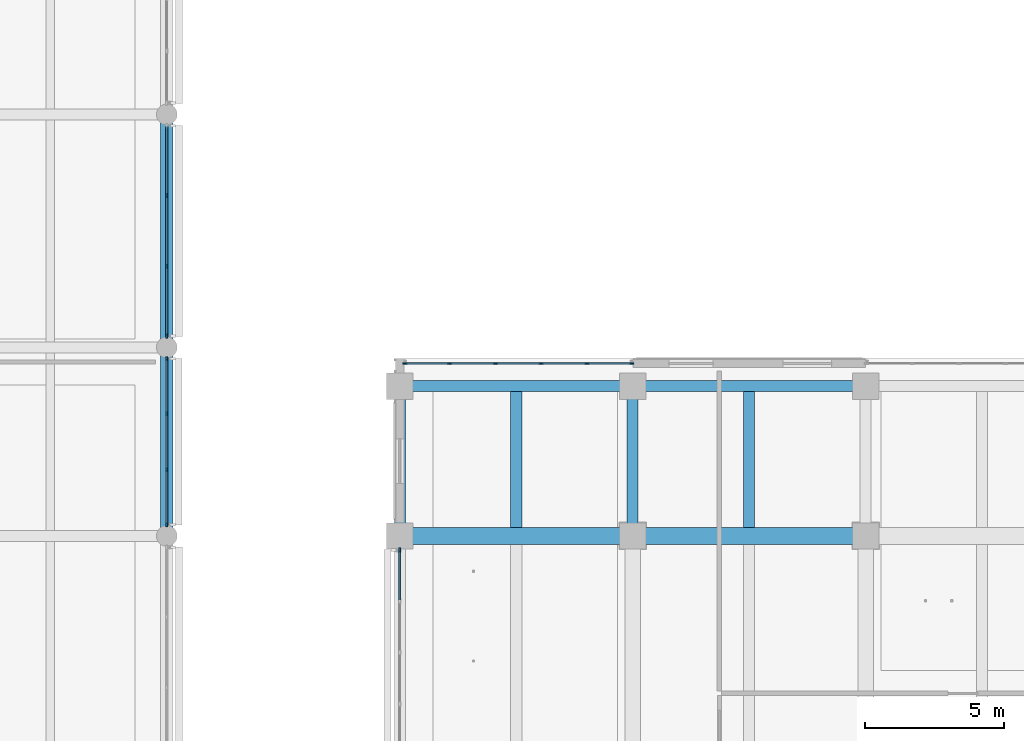
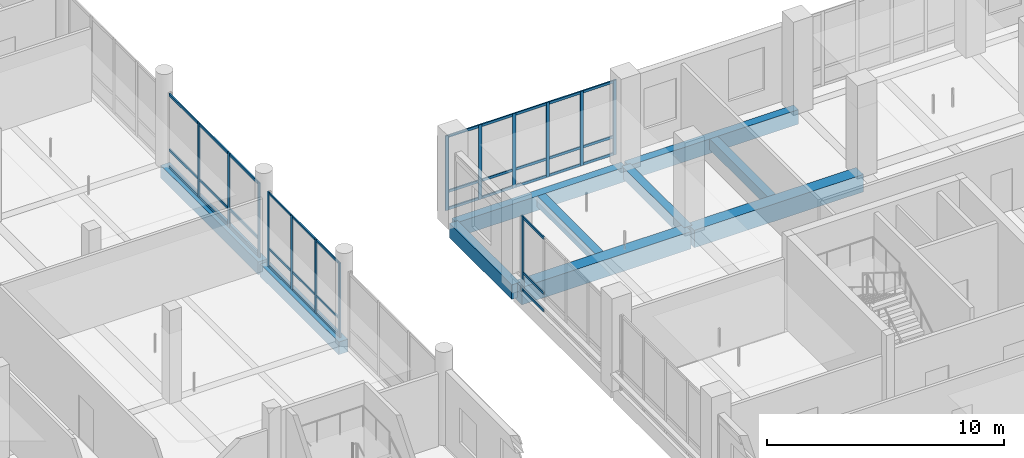
# One storey, part 14 of 122: 50 members, 10 beams, 4 elements without a shape of their own.
"""IFC4 building model written with IfcOpenShell, lengths in metres."""

from ifc_helpers import new_model, si_unit, direction, frame, origin, origin_2d, place, context, subcontext, project, spatial, rectangle, extrude, material, layer, layer_set, material_profile, profile_set, type_object, element, aggregate, save


model = new_model("IFC4")

# Units and contexts
model_context = context("Model", 3, precision=1e-05, world=origin(), true_north=direction((0.0, 1.0)))
body_context = subcontext(model_context, "Body", "Model", "MODEL_VIEW")
ifc_project = project(units=[si_unit("LENGTHUNIT", "METRE"), si_unit("AREAUNIT", "SQUARE_METRE"), si_unit("VOLUMEUNIT", "CUBIC_METRE"), si_unit("PLANEANGLEUNIT", "RADIAN"), si_unit("MASSUNIT", "GRAM", prefix="KILO")], contexts=[model_context])

# Site, building, storey
site_placement = place(None, origin())
site = spatial("IfcSite", under=ifc_project, at=site_placement, CompositionType="ELEMENT")
building_placement = place(site_placement, origin())
building = spatial("IfcBuilding", under=site, at=building_placement, Name="Telukmera Botanical Conservatory", CompositionType="ELEMENT")
storey_placement = place(building_placement, frame((0.0, 0.0, 10.199951171875)))
storey = spatial("IfcBuildingStorey", under=building, at=storey_placement, Name="L02", CompositionType="ELEMENT", Elevation=10.199951171875)

# Beams
ifc_material_1 = material(Name="Concrete C40/50", Category="concrete")
ifc_material_profile_1 = material_profile(ifc_material_1, rectangle(XDim=0.449951171875, YDim=0.64990234375, at=origin_2d()), Name="RC 450x650")
ifc_profile_set_1 = profile_set([ifc_material_profile_1], Name="Concrete C40/50")
beam_type_1 = type_object("IfcBeamType", Name="Beam_B16", PredefinedType="BEAM", material=ifc_profile_set_1)
beam_1_placement = place(storey_placement, frame((42.0, 42.8798828125, -0.324951171875), z_axis=(0.0, 1.0, 0.0), x_axis=(-1.0, 0.0, 0.0)))
element("IfcBeam", 1, at=beam_1_placement, inside=storey, type_object=beam_type_1, Name="Visitor Wing Transverse Beam L02", PredefinedType="BEAM", context=body_context, shape_type="SweptSolid", body=[
    extrude(rectangle(XDim=0.449951171875, YDim=0.64990234375, at=origin_2d()), origin(), (0.0, 0.0, 1.0), 6.64013671875),
])
beam_2_placement = place(storey_placement, frame((42.0, 49.679931640625, -0.324951171875), z_axis=(0.0, 1.0, 0.0), x_axis=(-1.0, 0.0, 0.0)))
element("IfcBeam", 2, at=beam_2_placement, inside=storey, type_object=beam_type_1, Name="Visitor Wing Transverse Beam L02", PredefinedType="BEAM", context=body_context, shape_type="SweptSolid", body=[
    extrude(rectangle(XDim=0.449951171875, YDim=0.64990234375, at=origin_2d()), origin(), (0.0, 0.0, 1.0), 8.239990234375),
])
ifc_material_profile_2 = material_profile(ifc_material_1, rectangle(XDim=0.39990234375, YDim=0.60009765625, at=origin_2d()), Name="RC 400x600")
ifc_profile_set_2 = profile_set([ifc_material_profile_2], Name="Concrete C40/50")
beam_type_2 = type_object("IfcBeamType", Name="Beam_B18", PredefinedType="BEAM", material=ifc_profile_set_2)
beam_3_placement = place(storey_placement, frame((58.800048828125, 42.8798828125, -0.300048828125), z_axis=(0.0, 1.0, 0.0), x_axis=(-1.0, 0.0, 0.0)))
element("IfcBeam", 3, at=beam_3_placement, inside=storey, type_object=beam_type_2, Name="Tower Transverse Beam L02", PredefinedType="BEAM", context=body_context, shape_type="SweptSolid", body=[
    extrude(rectangle(XDim=0.39990234375, YDim=0.60009765625, at=origin_2d()), origin(), (0.0, 0.0, 1.0), 5.240234375),
])
ifc_material_profile_3 = material_profile(ifc_material_1, rectangle(XDim=0.39990234375, YDim=0.550048828125, at=origin_2d()), Name="RC 400x550")
ifc_profile_set_3 = profile_set([ifc_material_profile_3], Name="Concrete C40/50")
beam_type_3 = type_object("IfcBeamType", Name="Beam_B19", PredefinedType="JOIST", material=ifc_profile_set_3)
for number, where, z_axis, x_axis, name in (
    (4, (54.60009765625, 43.10009765625, -0.27490234375), (0.0, 1.0, 0.0), (-1.0, 0.0, 0.0), "Tower Secondary Floor Joist L02"),
    (5, (63.0, 43.10009765625, -0.27490234375), (0.0, 1.0, 0.0), (-1.0, 0.0, 0.0), "Tower Secondary Floor Joist L02"),
):
    element("IfcBeam", number, at=place(storey_placement, frame(where, z_axis=z_axis, x_axis=x_axis)), inside=storey, type_object=beam_type_3, Name=name, PredefinedType="JOIST", context=body_context, shape_type="SweptSolid", body=[
        extrude(rectangle(XDim=0.39990234375, YDim=0.550048828125, at=origin_2d()), origin(), (0.0, 0.0, 1.0), 4.89990234375),
    ])
ifc_material_profile_4 = material_profile(ifc_material_1, rectangle(XDim=0.60009765625, YDim=0.89990234375, at=origin_2d()), Name="RC 600x900")
ifc_profile_set_4 = profile_set([ifc_material_profile_4], Name="Concrete C40/50")
beam_type_4 = type_object("IfcBeamType", Name="Beam_B3", PredefinedType="BEAM", material=ifc_profile_set_4)
beam_4_placement = place(storey_placement, frame((50.47998046875, 42.800048828125, -0.449951171875), z_axis=(1.0, 0.0, 0.0), x_axis=(0.0, 1.0, 0.0)))
element("IfcBeam", 6, at=beam_4_placement, inside=storey, type_object=beam_type_4, Name="Tower Grid Beam L02", PredefinedType="BEAM", context=body_context, shape_type="SweptSolid", body=[
    extrude(rectangle(XDim=0.60009765625, YDim=0.89990234375, at=origin_2d()), origin(), (0.0, 0.0, 1.0), 8.239990234375),
])
beam_5_placement = place(storey_placement, frame((58.8798828125, 42.800048828125, -0.449951171875), z_axis=(1.0, 0.0, 0.0), x_axis=(0.0, 1.0, 0.0)))
element("IfcBeam", 7, at=beam_5_placement, inside=storey, type_object=beam_type_4, Name="Tower Grid Beam L02", PredefinedType="BEAM", context=body_context, shape_type="SweptSolid", body=[
    extrude(rectangle(XDim=0.60009765625, YDim=0.89990234375, at=origin_2d()), origin(), (0.0, 0.0, 1.0), 8.240234375),
])
ifc_material_2 = material(Name="Precast concrete C40/50", Category="concrete")
ifc_material_profile_5 = material_profile(ifc_material_2, rectangle(XDim=0.39990234375, YDim=0.75, at=origin_2d()), Name="PC 400x750")
ifc_profile_set_5 = profile_set([ifc_material_profile_5], Name="Precast concrete C40/50")
beam_type_5 = type_object("IfcBeamType", Name="Beam_SP1", PredefinedType="SPANDREL", material=ifc_profile_set_5)
beam_6_placement = place(storey_placement, frame((50.47998046875, 48.199951171875, -0.375), z_axis=(1.0, 0.0, 0.0), x_axis=(0.0, 1.0, 0.0)))
element("IfcBeam", 8, at=beam_6_placement, inside=storey, type_object=beam_type_5, Name="Tower Grid Beam L02", PredefinedType="SPANDREL", context=body_context, shape_type="SweptSolid", body=[
    extrude(rectangle(XDim=0.39990234375, YDim=0.75, at=origin_2d()), origin(), (0.0, 0.0, 1.0), 8.239990234375),
])
beam_7_placement = place(storey_placement, frame((58.8798828125, 48.199951171875, -0.375), z_axis=(1.0, 0.0, 0.0), x_axis=(0.0, 1.0, 0.0)))
element("IfcBeam", 9, at=beam_7_placement, inside=storey, type_object=beam_type_5, Name="Tower Grid Beam L02", PredefinedType="SPANDREL", context=body_context, shape_type="SweptSolid", body=[
    extrude(rectangle(XDim=0.39990234375, YDim=0.75, at=origin_2d()), origin(), (0.0, 0.0, 1.0), 8.240234375),
])
beam_8_placement = place(storey_placement, frame((50.39990234375, 42.8798828125, -0.375), z_axis=(0.0, 1.0, 0.0), x_axis=(-1.0, 0.0, 0.0)))
element("IfcBeam", 10, at=beam_8_placement, inside=storey, type_object=beam_type_5, Name="Tower Transverse Beam L02", PredefinedType="SPANDREL", context=body_context, shape_type="SweptSolid", body=[
    extrude(rectangle(XDim=0.39990234375, YDim=0.75, at=origin_2d()), origin(), (0.0, 0.0, 1.0), 5.240234375),
])

# Curtain wall, members
ifc_material_3 = material(Name="Anodised aluminium 6063-T6", Category="aluminium")
ifc_layer_1 = layer(ifc_material_3, 0.179931640625)
ifc_layer_set_1 = layer_set([ifc_layer_1], Name="Anodised aluminium 6063-T6")
curtain_wall_type_1 = type_object("IfcCurtainWallType", Name="Visitor Courtyard Narrow Bay Curtain Wall", PredefinedType="USERDEFINED", material=ifc_layer_set_1)
curtain_wall_1_placement = place(storey_placement, origin())
curtain_wall_1 = element("IfcCurtainWall", 11, at=curtain_wall_1_placement, inside=storey, type_object=curtain_wall_type_1, Name="Unitised Curtain Wall CW10 V3:L02:E4", ObjectType="UNITISED CURTAIN WALL", PredefinedType="USERDEFINED")
ifc_material_profile_6 = material_profile(ifc_material_3, rectangle(XDim=0.06005859375, YDim=0.139892578125, at=origin_2d()), Name="ALU MULL 60x140")
ifc_profile_set_6 = profile_set([ifc_material_profile_6], Name="Anodised aluminium 6063-T6")
member_type_1 = type_object("IfcMemberType", Name="Curtain Wall Extruded Mullion 60x140", PredefinedType="MULLION", material=ifc_profile_set_6)
member_1_placement = place(storey_placement, frame((42.0, 43.20703125, 0.0), z_axis=(0.0, 0.0, 1.0), x_axis=(-1.0, 0.0, 0.0)))
member_1 = element("IfcMember", 12, at=member_1_placement, type_object=member_type_1, Name="CW10 mullion 1", PredefinedType="MULLION", context=body_context, shape_type="SweptSolid", body=[
    extrude(rectangle(XDim=0.06005859375, YDim=0.139892578125, at=origin_2d()), origin(), (0.0, 0.0, 1.0), 3.85009765625),
])
member_2_placement = place(storey_placement, frame((42.0, 45.1923828125, 0.0), z_axis=(0.0, 0.0, 1.0), x_axis=(-1.0, 0.0, 0.0)))
member_2 = element("IfcMember", 13, at=member_2_placement, type_object=member_type_1, Name="CW10 mullion 2", PredefinedType="MULLION", context=body_context, shape_type="SweptSolid", body=[
    extrude(rectangle(XDim=0.06005859375, YDim=0.139892578125, at=origin_2d()), origin(), (0.0, 0.0, 1.0), 3.85009765625),
])
member_3_placement = place(storey_placement, frame((42.0, 47.207763671875, 0.0), z_axis=(0.0, 0.0, 1.0), x_axis=(-1.0, 0.0, 0.0)))
member_3 = element("IfcMember", 14, at=member_3_placement, type_object=member_type_1, Name="CW10 mullion 3", PredefinedType="MULLION", context=body_context, shape_type="SweptSolid", body=[
    extrude(rectangle(XDim=0.06005859375, YDim=0.139892578125, at=origin_2d()), origin(), (0.0, 0.0, 1.0), 3.85009765625),
])
member_4_placement = place(storey_placement, frame((42.0, 49.193115234375, 0.0), z_axis=(0.0, 0.0, 1.0), x_axis=(-1.0, 0.0, 0.0)))
member_4 = element("IfcMember", 15, at=member_4_placement, type_object=member_type_1, Name="CW10 mullion 4", PredefinedType="MULLION", context=body_context, shape_type="SweptSolid", body=[
    extrude(rectangle(XDim=0.06005859375, YDim=0.139892578125, at=origin_2d()), origin(), (0.0, 0.0, 1.0), 3.85009765625),
])

ifc_layer_2 = layer(ifc_material_3, 0.179931640625)
ifc_layer_set_2 = layer_set([ifc_layer_2], Name="Anodised aluminium 6063-T6")
curtain_wall_type_2 = type_object("IfcCurtainWallType", Name="Visitor Gallery Second Floor Curtain Wall 2400 Mod", PredefinedType="USERDEFINED", material=ifc_layer_set_2)
curtain_wall_2_placement = place(storey_placement, origin())
curtain_wall_2 = element("IfcCurtainWall", 16, at=curtain_wall_2_placement, inside=storey, type_object=curtain_wall_type_2, Name="Unitised Curtain Wall CW09 V3:L02:E5", ObjectType="UNITISED CURTAIN WALL", PredefinedType="USERDEFINED")
ifc_material_profile_7 = material_profile(ifc_material_3, rectangle(XDim=0.06494140625, YDim=0.159912109375, at=origin_2d()), Name="ALU MULL 65x160")
ifc_profile_set_7 = profile_set([ifc_material_profile_7], Name="Anodised aluminium 6063-T6")
member_type_2 = type_object("IfcMemberType", Name="Curtain Wall Extruded Mullion 65x160", PredefinedType="MULLION", material=ifc_profile_set_7)
member_5_placement = place(storey_placement, frame((42.0, 50.009521484375, 0.0), z_axis=(0.0, 0.0, 1.0), x_axis=(-1.0, 0.0, 0.0)))
member_5 = element("IfcMember", 17, at=member_5_placement, type_object=member_type_2, Name="CW09 mullion 1", PredefinedType="MULLION", context=body_context, shape_type="SweptSolid", body=[
    extrude(rectangle(XDim=0.06494140625, YDim=0.159912109375, at=origin_2d()), origin(), (0.0, 0.0, 1.0), 3.85009765625),
])
member_6_placement = place(storey_placement, frame((42.0, 52.525634765625, 0.0), z_axis=(0.0, 0.0, 1.0), x_axis=(-1.0, 0.0, 0.0)))
member_6 = element("IfcMember", 18, at=member_6_placement, type_object=member_type_2, Name="CW09 mullion 2", PredefinedType="MULLION", context=body_context, shape_type="SweptSolid", body=[
    extrude(rectangle(XDim=0.06494140625, YDim=0.159912109375, at=origin_2d()), origin(), (0.0, 0.0, 1.0), 3.85009765625),
])
member_7_placement = place(storey_placement, frame((42.0, 55.07421875, 0.0), z_axis=(0.0, 0.0, 1.0), x_axis=(-1.0, 0.0, 0.0)))
member_7 = element("IfcMember", 19, at=member_7_placement, type_object=member_type_2, Name="CW09 mullion 3", PredefinedType="MULLION", context=body_context, shape_type="SweptSolid", body=[
    extrude(rectangle(XDim=0.06494140625, YDim=0.159912109375, at=origin_2d()), origin(), (0.0, 0.0, 1.0), 3.85009765625),
])

ifc_layer_3 = layer(ifc_material_3, 0.179931640625)
ifc_layer_set_3 = layer_set([ifc_layer_3], Name="Anodised aluminium 6063-T6")
curtain_wall_type_3 = type_object("IfcCurtainWallType", Name="Tower Reference Library Curtain Wall", PredefinedType="USERDEFINED", material=ifc_layer_set_3)
curtain_wall_3_placement = place(storey_placement, origin())
curtain_wall_3 = element("IfcCurtainWall", 20, at=curtain_wall_3_placement, inside=storey, type_object=curtain_wall_type_3, Name="Unitised Curtain Wall CW13 V4:L02:N1", ObjectType="UNITISED CURTAIN WALL", PredefinedType="USERDEFINED")
member_8_placement = place(storey_placement, frame((50.58447265625, 49.02001953125, 0.0), z_axis=(0.0, 0.0, 1.0), x_axis=(0.0, 1.0, 0.0)))
member_8 = element("IfcMember", 21, at=member_8_placement, type_object=member_type_2, Name="CW13 mullion 1", PredefinedType="MULLION", context=body_context, shape_type="SweptSolid", body=[
    extrude(rectangle(XDim=0.06494140625, YDim=0.159912109375, at=origin_2d()), origin(), (0.0, 0.0, 1.0), 3.85009765625),
])
member_9_placement = place(storey_placement, frame((52.201171875, 49.02001953125, 0.0), z_axis=(0.0, 0.0, 1.0), x_axis=(0.0, 1.0, 0.0)))
member_9 = element("IfcMember", 22, at=member_9_placement, type_object=member_type_2, Name="CW13 mullion 2", PredefinedType="MULLION", context=body_context, shape_type="SweptSolid", body=[
    extrude(rectangle(XDim=0.06494140625, YDim=0.159912109375, at=origin_2d()), origin(), (0.0, 0.0, 1.0), 3.85009765625),
])
member_10_placement = place(storey_placement, frame((53.850341796875, 49.02001953125, 0.0), z_axis=(0.0, 0.0, 1.0), x_axis=(0.0, 1.0, 0.0)))
member_10 = element("IfcMember", 23, at=member_10_placement, type_object=member_type_2, Name="CW13 mullion 3", PredefinedType="MULLION", context=body_context, shape_type="SweptSolid", body=[
    extrude(rectangle(XDim=0.06494140625, YDim=0.159912109375, at=origin_2d()), origin(), (0.0, 0.0, 1.0), 3.85009765625),
])
member_11_placement = place(storey_placement, frame((55.49951171875, 49.02001953125, 0.0), z_axis=(0.0, 0.0, 1.0), x_axis=(0.0, 1.0, 0.0)))
member_11 = element("IfcMember", 24, at=member_11_placement, type_object=member_type_2, Name="CW13 mullion 4", PredefinedType="MULLION", context=body_context, shape_type="SweptSolid", body=[
    extrude(rectangle(XDim=0.06494140625, YDim=0.159912109375, at=origin_2d()), origin(), (0.0, 0.0, 1.0), 3.85009765625),
])
member_12_placement = place(storey_placement, frame((57.148681640625, 49.02001953125, 0.0), z_axis=(0.0, 0.0, 1.0), x_axis=(0.0, 1.0, 0.0)))
member_12 = element("IfcMember", 25, at=member_12_placement, type_object=member_type_2, Name="CW13 mullion 5", PredefinedType="MULLION", context=body_context, shape_type="SweptSolid", body=[
    extrude(rectangle(XDim=0.06494140625, YDim=0.159912109375, at=origin_2d()), origin(), (0.0, 0.0, 1.0), 3.85009765625),
])
member_13_placement = place(storey_placement, frame((58.765380859375, 49.02001953125, 0.0), z_axis=(0.0, 0.0, 1.0), x_axis=(0.0, 1.0, 0.0)))
member_13 = element("IfcMember", 26, at=member_13_placement, type_object=member_type_2, Name="CW13 mullion 6", PredefinedType="MULLION", context=body_context, shape_type="SweptSolid", body=[
    extrude(rectangle(XDim=0.06494140625, YDim=0.159912109375, at=origin_2d()), origin(), (0.0, 0.0, 1.0), 3.85009765625),
])

# Curtain wall, member
curtain_wall_4_placement = place(storey_placement, origin())
curtain_wall_4 = element("IfcCurtainWall", 27, at=curtain_wall_4_placement, inside=storey, type_object=curtain_wall_type_3, Name="Unitised Curtain Wall CW13 V4:L02:W4", ObjectType="UNITISED CURTAIN WALL", PredefinedType="USERDEFINED")
member_14_placement = place(storey_placement, frame((50.39990234375, 42.29052734375, 0.0), z_axis=(0.0, 0.0, 1.0), x_axis=(-1.0, 0.0, 0.0)))
member_14 = element("IfcMember", 28, at=member_14_placement, type_object=member_type_2, Name="CW13 mullion 5", PredefinedType="MULLION", context=body_context, shape_type="SweptSolid", body=[
    extrude(rectangle(XDim=0.06494140625, YDim=0.159912109375, at=origin_2d()), origin(), (0.0, 0.0, 1.0), 3.85009765625),
])

# Member
ifc_material_profile_8 = material_profile(ifc_material_3, rectangle(XDim=0.06005859375, YDim=0.110107421875, at=origin_2d()), Name="ALU TRAN 60x110")
ifc_profile_set_8 = profile_set([ifc_material_profile_8], Name="Anodised aluminium 6063-T6")
member_type_3 = type_object("IfcMemberType", Name="Curtain Wall Extruded Transom 60x110", PredefinedType="USERDEFINED", material=ifc_profile_set_8)
member_15_placement = place(storey_placement, frame((42.0, 43.237060546875, 0.054931640625), z_axis=(0.0, 1.0, 0.0), x_axis=(-1.0, 0.0, 0.0)))
member_15 = element("IfcMember", 29, at=member_15_placement, type_object=member_type_3, Name="CW10 transom 1.1", ObjectType="TRANSOM", PredefinedType="USERDEFINED", context=body_context, shape_type="SweptSolid", body=[
    extrude(rectangle(XDim=0.06005859375, YDim=0.110107421875, at=origin_2d()), origin(), (0.0, 0.0, 1.0), 1.92529296875),
])

member_16_placement = place(storey_placement, frame((42.0, 43.237060546875, 0.949951171875), z_axis=(0.0, 1.0, 0.0), x_axis=(-1.0, 0.0, 0.0)))
member_16 = element("IfcMember", 30, at=member_16_placement, type_object=member_type_3, Name="CW10 transom 1.2", ObjectType="TRANSOM", PredefinedType="USERDEFINED", context=body_context, shape_type="SweptSolid", body=[
    extrude(rectangle(XDim=0.06005859375, YDim=0.110107421875, at=origin_2d()), origin(), (0.0, 0.0, 1.0), 1.92529296875),
])

member_17_placement = place(storey_placement, frame((42.0, 43.237060546875, 3.795166015625), z_axis=(0.0, 1.0, 0.0), x_axis=(-1.0, 0.0, 0.0)))
member_17 = element("IfcMember", 31, at=member_17_placement, type_object=member_type_3, Name="CW10 transom 1.3", ObjectType="TRANSOM", PredefinedType="USERDEFINED", context=body_context, shape_type="SweptSolid", body=[
    extrude(rectangle(XDim=0.06005859375, YDim=0.110107421875, at=origin_2d()), origin(), (0.0, 0.0, 1.0), 1.92529296875),
])

member_18_placement = place(storey_placement, frame((42.0, 45.222412109375, 0.054931640625), z_axis=(0.0, 1.0, 0.0), x_axis=(-1.0, 0.0, 0.0)))
member_18 = element("IfcMember", 32, at=member_18_placement, type_object=member_type_3, Name="CW10 transom 2.1", ObjectType="TRANSOM", PredefinedType="USERDEFINED", context=body_context, shape_type="SweptSolid", body=[
    extrude(rectangle(XDim=0.06005859375, YDim=0.110107421875, at=origin_2d()), origin(), (0.0, 0.0, 1.0), 1.955322265625),
])

member_19_placement = place(storey_placement, frame((42.0, 45.222412109375, 0.949951171875), z_axis=(0.0, 1.0, 0.0), x_axis=(-1.0, 0.0, 0.0)))
member_19 = element("IfcMember", 33, at=member_19_placement, type_object=member_type_3, Name="CW10 transom 2.2", ObjectType="TRANSOM", PredefinedType="USERDEFINED", context=body_context, shape_type="SweptSolid", body=[
    extrude(rectangle(XDim=0.06005859375, YDim=0.110107421875, at=origin_2d()), origin(), (0.0, 0.0, 1.0), 1.955322265625),
])

member_20_placement = place(storey_placement, frame((42.0, 45.222412109375, 3.795166015625), z_axis=(0.0, 1.0, 0.0), x_axis=(-1.0, 0.0, 0.0)))
member_20 = element("IfcMember", 34, at=member_20_placement, type_object=member_type_3, Name="CW10 transom 2.3", ObjectType="TRANSOM", PredefinedType="USERDEFINED", context=body_context, shape_type="SweptSolid", body=[
    extrude(rectangle(XDim=0.06005859375, YDim=0.110107421875, at=origin_2d()), origin(), (0.0, 0.0, 1.0), 1.955322265625),
])

member_21_placement = place(storey_placement, frame((42.0, 47.237548828125, 0.054931640625), z_axis=(0.0, 1.0, 0.0), x_axis=(-1.0, 0.0, 0.0)))
member_21 = element("IfcMember", 35, at=member_21_placement, type_object=member_type_3, Name="CW10 transom 3.1", ObjectType="TRANSOM", PredefinedType="USERDEFINED", context=body_context, shape_type="SweptSolid", body=[
    extrude(rectangle(XDim=0.06005859375, YDim=0.110107421875, at=origin_2d()), origin(), (0.0, 0.0, 1.0), 1.925537109375),
])

member_22_placement = place(storey_placement, frame((42.0, 47.237548828125, 0.949951171875), z_axis=(0.0, 1.0, 0.0), x_axis=(-1.0, 0.0, 0.0)))
member_22 = element("IfcMember", 36, at=member_22_placement, type_object=member_type_3, Name="CW10 transom 3.2", ObjectType="TRANSOM", PredefinedType="USERDEFINED", context=body_context, shape_type="SweptSolid", body=[
    extrude(rectangle(XDim=0.06005859375, YDim=0.110107421875, at=origin_2d()), origin(), (0.0, 0.0, 1.0), 1.925537109375),
])

member_23_placement = place(storey_placement, frame((42.0, 47.237548828125, 3.795166015625), z_axis=(0.0, 1.0, 0.0), x_axis=(-1.0, 0.0, 0.0)))
member_23 = element("IfcMember", 37, at=member_23_placement, type_object=member_type_3, Name="CW10 transom 3.3", ObjectType="TRANSOM", PredefinedType="USERDEFINED", context=body_context, shape_type="SweptSolid", body=[
    extrude(rectangle(XDim=0.06005859375, YDim=0.110107421875, at=origin_2d()), origin(), (0.0, 0.0, 1.0), 1.925537109375),
])

aggregate(curtain_wall_1, [member_1, member_2, member_3, member_4, member_15, member_16, member_17, member_18, member_19, member_20, member_21, member_22, member_23])

ifc_material_profile_9 = material_profile(ifc_material_3, rectangle(XDim=0.06494140625, YDim=0.1298828125, at=origin_2d()), Name="ALU TRAN 65x130")
ifc_profile_set_9 = profile_set([ifc_material_profile_9], Name="Anodised aluminium 6063-T6")
member_type_4 = type_object("IfcMemberType", Name="Curtain Wall Extruded Transom 65x130", PredefinedType="USERDEFINED", material=ifc_profile_set_9)
member_24_placement = place(storey_placement, frame((42.0, 50.0419921875, 0.06494140625), z_axis=(0.0, 1.0, 0.0), x_axis=(-1.0, 0.0, 0.0)))
member_24 = element("IfcMember", 38, at=member_24_placement, type_object=member_type_4, Name="CW09 transom 1.1", ObjectType="TRANSOM", PredefinedType="USERDEFINED", context=body_context, shape_type="SweptSolid", body=[
    extrude(rectangle(XDim=0.06494140625, YDim=0.1298828125, at=origin_2d()), origin(), (0.0, 0.0, 1.0), 2.451171875),
])

member_25_placement = place(storey_placement, frame((42.0, 50.0419921875, 0.949951171875), z_axis=(0.0, 1.0, 0.0), x_axis=(-1.0, 0.0, 0.0)))
member_25 = element("IfcMember", 39, at=member_25_placement, type_object=member_type_4, Name="CW09 transom 1.2", ObjectType="TRANSOM", PredefinedType="USERDEFINED", context=body_context, shape_type="SweptSolid", body=[
    extrude(rectangle(XDim=0.06494140625, YDim=0.1298828125, at=origin_2d()), origin(), (0.0, 0.0, 1.0), 2.451171875),
])

member_26_placement = place(storey_placement, frame((42.0, 50.0419921875, 3.78515625), z_axis=(0.0, 1.0, 0.0), x_axis=(-1.0, 0.0, 0.0)))
member_26 = element("IfcMember", 40, at=member_26_placement, type_object=member_type_4, Name="CW09 transom 1.3", ObjectType="TRANSOM", PredefinedType="USERDEFINED", context=body_context, shape_type="SweptSolid", body=[
    extrude(rectangle(XDim=0.06494140625, YDim=0.1298828125, at=origin_2d()), origin(), (0.0, 0.0, 1.0), 2.451171875),
])

member_27_placement = place(storey_placement, frame((42.0, 52.55810546875, 0.06494140625), z_axis=(0.0, 1.0, 0.0), x_axis=(-1.0, 0.0, 0.0)))
member_27 = element("IfcMember", 41, at=member_27_placement, type_object=member_type_4, Name="CW09 transom 2.1", ObjectType="TRANSOM", PredefinedType="USERDEFINED", context=body_context, shape_type="SweptSolid", body=[
    extrude(rectangle(XDim=0.06494140625, YDim=0.1298828125, at=origin_2d()), origin(), (0.0, 0.0, 1.0), 2.483642578125),
])

member_28_placement = place(storey_placement, frame((42.0, 52.55810546875, 0.949951171875), z_axis=(0.0, 1.0, 0.0), x_axis=(-1.0, 0.0, 0.0)))
member_28 = element("IfcMember", 42, at=member_28_placement, type_object=member_type_4, Name="CW09 transom 2.2", ObjectType="TRANSOM", PredefinedType="USERDEFINED", context=body_context, shape_type="SweptSolid", body=[
    extrude(rectangle(XDim=0.06494140625, YDim=0.1298828125, at=origin_2d()), origin(), (0.0, 0.0, 1.0), 2.483642578125),
])

member_29_placement = place(storey_placement, frame((42.0, 52.55810546875, 3.78515625), z_axis=(0.0, 1.0, 0.0), x_axis=(-1.0, 0.0, 0.0)))
member_29 = element("IfcMember", 43, at=member_29_placement, type_object=member_type_4, Name="CW09 transom 2.3", ObjectType="TRANSOM", PredefinedType="USERDEFINED", context=body_context, shape_type="SweptSolid", body=[
    extrude(rectangle(XDim=0.06494140625, YDim=0.1298828125, at=origin_2d()), origin(), (0.0, 0.0, 1.0), 2.483642578125),
])

member_30_placement = place(storey_placement, frame((42.0, 55.10693359375, 0.06494140625), z_axis=(0.0, 1.0, 0.0), x_axis=(-1.0, 0.0, 0.0)))
member_30 = element("IfcMember", 44, at=member_30_placement, type_object=member_type_4, Name="CW09 transom 3.1", ObjectType="TRANSOM", PredefinedType="USERDEFINED", context=body_context, shape_type="SweptSolid", body=[
    extrude(rectangle(XDim=0.06494140625, YDim=0.1298828125, at=origin_2d()), origin(), (0.0, 0.0, 1.0), 2.451171875),
])

member_31_placement = place(storey_placement, frame((42.0, 55.10693359375, 0.949951171875), z_axis=(0.0, 1.0, 0.0), x_axis=(-1.0, 0.0, 0.0)))
member_31 = element("IfcMember", 45, at=member_31_placement, type_object=member_type_4, Name="CW09 transom 3.2", ObjectType="TRANSOM", PredefinedType="USERDEFINED", context=body_context, shape_type="SweptSolid", body=[
    extrude(rectangle(XDim=0.06494140625, YDim=0.1298828125, at=origin_2d()), origin(), (0.0, 0.0, 1.0), 2.451171875),
])

member_32_placement = place(storey_placement, frame((42.0, 55.10693359375, 3.78515625), z_axis=(0.0, 1.0, 0.0), x_axis=(-1.0, 0.0, 0.0)))
member_32 = element("IfcMember", 46, at=member_32_placement, type_object=member_type_4, Name="CW09 transom 3.3", ObjectType="TRANSOM", PredefinedType="USERDEFINED", context=body_context, shape_type="SweptSolid", body=[
    extrude(rectangle(XDim=0.06494140625, YDim=0.1298828125, at=origin_2d()), origin(), (0.0, 0.0, 1.0), 2.451171875),
])

aggregate(curtain_wall_2, [member_5, member_6, member_7, member_24, member_25, member_26, member_27, member_28, member_29, member_30, member_31, member_32])

member_33_placement = place(storey_placement, frame((50.616943359375, 49.02001953125, 0.06494140625), z_axis=(1.0, 0.0, 0.0), x_axis=(0.0, 1.0, 0.0)))
member_33 = element("IfcMember", 47, at=member_33_placement, type_object=member_type_4, Name="CW13 transom 1.1", ObjectType="TRANSOM", PredefinedType="USERDEFINED", context=body_context, shape_type="SweptSolid", body=[
    extrude(rectangle(XDim=0.06494140625, YDim=0.1298828125, at=origin_2d()), origin(), (0.0, 0.0, 1.0), 1.5517578125),
])

member_34_placement = place(storey_placement, frame((50.616943359375, 49.02001953125, 0.949951171875), z_axis=(1.0, 0.0, 0.0), x_axis=(0.0, 1.0, 0.0)))
member_34 = element("IfcMember", 48, at=member_34_placement, type_object=member_type_4, Name="CW13 transom 1.2", ObjectType="TRANSOM", PredefinedType="USERDEFINED", context=body_context, shape_type="SweptSolid", body=[
    extrude(rectangle(XDim=0.06494140625, YDim=0.1298828125, at=origin_2d()), origin(), (0.0, 0.0, 1.0), 1.5517578125),
])

member_35_placement = place(storey_placement, frame((50.616943359375, 49.02001953125, 3.78515625), z_axis=(1.0, 0.0, 0.0), x_axis=(0.0, 1.0, 0.0)))
member_35 = element("IfcMember", 49, at=member_35_placement, type_object=member_type_4, Name="CW13 transom 1.3", ObjectType="TRANSOM", PredefinedType="USERDEFINED", context=body_context, shape_type="SweptSolid", body=[
    extrude(rectangle(XDim=0.06494140625, YDim=0.1298828125, at=origin_2d()), origin(), (0.0, 0.0, 1.0), 1.5517578125),
])

member_36_placement = place(storey_placement, frame((52.233642578125, 49.02001953125, 0.06494140625), z_axis=(1.0, 0.0, 0.0), x_axis=(0.0, 1.0, 0.0)))
member_36 = element("IfcMember", 50, at=member_36_placement, type_object=member_type_4, Name="CW13 transom 2.1", ObjectType="TRANSOM", PredefinedType="USERDEFINED", context=body_context, shape_type="SweptSolid", body=[
    extrude(rectangle(XDim=0.06494140625, YDim=0.1298828125, at=origin_2d()), origin(), (0.0, 0.0, 1.0), 1.584228515625),
])

member_37_placement = place(storey_placement, frame((52.233642578125, 49.02001953125, 0.949951171875), z_axis=(1.0, 0.0, 0.0), x_axis=(0.0, 1.0, 0.0)))
member_37 = element("IfcMember", 51, at=member_37_placement, type_object=member_type_4, Name="CW13 transom 2.2", ObjectType="TRANSOM", PredefinedType="USERDEFINED", context=body_context, shape_type="SweptSolid", body=[
    extrude(rectangle(XDim=0.06494140625, YDim=0.1298828125, at=origin_2d()), origin(), (0.0, 0.0, 1.0), 1.584228515625),
])

member_38_placement = place(storey_placement, frame((52.233642578125, 49.02001953125, 3.78515625), z_axis=(1.0, 0.0, 0.0), x_axis=(0.0, 1.0, 0.0)))
member_38 = element("IfcMember", 52, at=member_38_placement, type_object=member_type_4, Name="CW13 transom 2.3", ObjectType="TRANSOM", PredefinedType="USERDEFINED", context=body_context, shape_type="SweptSolid", body=[
    extrude(rectangle(XDim=0.06494140625, YDim=0.1298828125, at=origin_2d()), origin(), (0.0, 0.0, 1.0), 1.584228515625),
])

member_39_placement = place(storey_placement, frame((53.8828125, 49.02001953125, 0.06494140625), z_axis=(1.0, 0.0, 0.0), x_axis=(0.0, 1.0, 0.0)))
member_39 = element("IfcMember", 53, at=member_39_placement, type_object=member_type_4, Name="CW13 transom 3.1", ObjectType="TRANSOM", PredefinedType="USERDEFINED", context=body_context, shape_type="SweptSolid", body=[
    extrude(rectangle(XDim=0.06494140625, YDim=0.1298828125, at=origin_2d()), origin(), (0.0, 0.0, 1.0), 1.584228515625),
])

member_40_placement = place(storey_placement, frame((53.8828125, 49.02001953125, 0.949951171875), z_axis=(1.0, 0.0, 0.0), x_axis=(0.0, 1.0, 0.0)))
member_40 = element("IfcMember", 54, at=member_40_placement, type_object=member_type_4, Name="CW13 transom 3.2", ObjectType="TRANSOM", PredefinedType="USERDEFINED", context=body_context, shape_type="SweptSolid", body=[
    extrude(rectangle(XDim=0.06494140625, YDim=0.1298828125, at=origin_2d()), origin(), (0.0, 0.0, 1.0), 1.584228515625),
])

member_41_placement = place(storey_placement, frame((53.8828125, 49.02001953125, 3.78515625), z_axis=(1.0, 0.0, 0.0), x_axis=(0.0, 1.0, 0.0)))
member_41 = element("IfcMember", 55, at=member_41_placement, type_object=member_type_4, Name="CW13 transom 3.3", ObjectType="TRANSOM", PredefinedType="USERDEFINED", context=body_context, shape_type="SweptSolid", body=[
    extrude(rectangle(XDim=0.06494140625, YDim=0.1298828125, at=origin_2d()), origin(), (0.0, 0.0, 1.0), 1.584228515625),
])

member_42_placement = place(storey_placement, frame((55.531982421875, 49.02001953125, 0.06494140625), z_axis=(1.0, 0.0, 0.0), x_axis=(0.0, 1.0, 0.0)))
member_42 = element("IfcMember", 56, at=member_42_placement, type_object=member_type_4, Name="CW13 transom 4.1", ObjectType="TRANSOM", PredefinedType="USERDEFINED", context=body_context, shape_type="SweptSolid", body=[
    extrude(rectangle(XDim=0.06494140625, YDim=0.1298828125, at=origin_2d()), origin(), (0.0, 0.0, 1.0), 1.584228515625),
])

member_43_placement = place(storey_placement, frame((55.531982421875, 49.02001953125, 0.949951171875), z_axis=(1.0, 0.0, 0.0), x_axis=(0.0, 1.0, 0.0)))
member_43 = element("IfcMember", 57, at=member_43_placement, type_object=member_type_4, Name="CW13 transom 4.2", ObjectType="TRANSOM", PredefinedType="USERDEFINED", context=body_context, shape_type="SweptSolid", body=[
    extrude(rectangle(XDim=0.06494140625, YDim=0.1298828125, at=origin_2d()), origin(), (0.0, 0.0, 1.0), 1.584228515625),
])

member_44_placement = place(storey_placement, frame((55.531982421875, 49.02001953125, 3.78515625), z_axis=(1.0, 0.0, 0.0), x_axis=(0.0, 1.0, 0.0)))
member_44 = element("IfcMember", 58, at=member_44_placement, type_object=member_type_4, Name="CW13 transom 4.3", ObjectType="TRANSOM", PredefinedType="USERDEFINED", context=body_context, shape_type="SweptSolid", body=[
    extrude(rectangle(XDim=0.06494140625, YDim=0.1298828125, at=origin_2d()), origin(), (0.0, 0.0, 1.0), 1.584228515625),
])

member_45_placement = place(storey_placement, frame((57.181396484375, 49.02001953125, 0.06494140625), z_axis=(1.0, 0.0, 0.0), x_axis=(0.0, 1.0, 0.0)))
member_45 = element("IfcMember", 59, at=member_45_placement, type_object=member_type_4, Name="CW13 transom 5.1", ObjectType="TRANSOM", PredefinedType="USERDEFINED", context=body_context, shape_type="SweptSolid", body=[
    extrude(rectangle(XDim=0.06494140625, YDim=0.1298828125, at=origin_2d()), origin(), (0.0, 0.0, 1.0), 1.551513671875),
])

member_46_placement = place(storey_placement, frame((57.181396484375, 49.02001953125, 0.949951171875), z_axis=(1.0, 0.0, 0.0), x_axis=(0.0, 1.0, 0.0)))
member_46 = element("IfcMember", 60, at=member_46_placement, type_object=member_type_4, Name="CW13 transom 5.2", ObjectType="TRANSOM", PredefinedType="USERDEFINED", context=body_context, shape_type="SweptSolid", body=[
    extrude(rectangle(XDim=0.06494140625, YDim=0.1298828125, at=origin_2d()), origin(), (0.0, 0.0, 1.0), 1.551513671875),
])

member_47_placement = place(storey_placement, frame((57.181396484375, 49.02001953125, 3.78515625), z_axis=(1.0, 0.0, 0.0), x_axis=(0.0, 1.0, 0.0)))
member_47 = element("IfcMember", 61, at=member_47_placement, type_object=member_type_4, Name="CW13 transom 5.3", ObjectType="TRANSOM", PredefinedType="USERDEFINED", context=body_context, shape_type="SweptSolid", body=[
    extrude(rectangle(XDim=0.06494140625, YDim=0.1298828125, at=origin_2d()), origin(), (0.0, 0.0, 1.0), 1.551513671875),
])

aggregate(curtain_wall_3, [member_8, member_9, member_10, member_11, member_12, member_13, member_33, member_34, member_35, member_36, member_37, member_38, member_39, member_40, member_41, member_42, member_43, member_44, member_45, member_46, member_47])

member_48_placement = place(storey_placement, frame((50.39990234375, 40.493896484375, 0.06494140625), z_axis=(0.0, 1.0, 0.0), x_axis=(-1.0, 0.0, 0.0)))
member_48 = element("IfcMember", 62, at=member_48_placement, type_object=member_type_4, Name="CW13 transom 4.1", ObjectType="TRANSOM", PredefinedType="USERDEFINED", context=body_context, shape_type="SweptSolid", body=[
    extrude(rectangle(XDim=0.06494140625, YDim=0.1298828125, at=origin_2d()), origin(), (0.0, 0.0, 1.0), 1.76416015625),
])

member_49_placement = place(storey_placement, frame((50.39990234375, 40.493896484375, 0.949951171875), z_axis=(0.0, 1.0, 0.0), x_axis=(-1.0, 0.0, 0.0)))
member_49 = element("IfcMember", 63, at=member_49_placement, type_object=member_type_4, Name="CW13 transom 4.2", ObjectType="TRANSOM", PredefinedType="USERDEFINED", context=body_context, shape_type="SweptSolid", body=[
    extrude(rectangle(XDim=0.06494140625, YDim=0.1298828125, at=origin_2d()), origin(), (0.0, 0.0, 1.0), 1.76416015625),
])

member_50_placement = place(storey_placement, frame((50.39990234375, 40.493896484375, 3.78515625), z_axis=(0.0, 1.0, 0.0), x_axis=(-1.0, 0.0, 0.0)))
member_50 = element("IfcMember", 64, at=member_50_placement, type_object=member_type_4, Name="CW13 transom 4.3", ObjectType="TRANSOM", PredefinedType="USERDEFINED", context=body_context, shape_type="SweptSolid", body=[
    extrude(rectangle(XDim=0.06494140625, YDim=0.1298828125, at=origin_2d()), origin(), (0.0, 0.0, 1.0), 1.76416015625),
])

aggregate(curtain_wall_4, [member_14, member_48, member_49, member_50])

save(model, "model.ifc")
